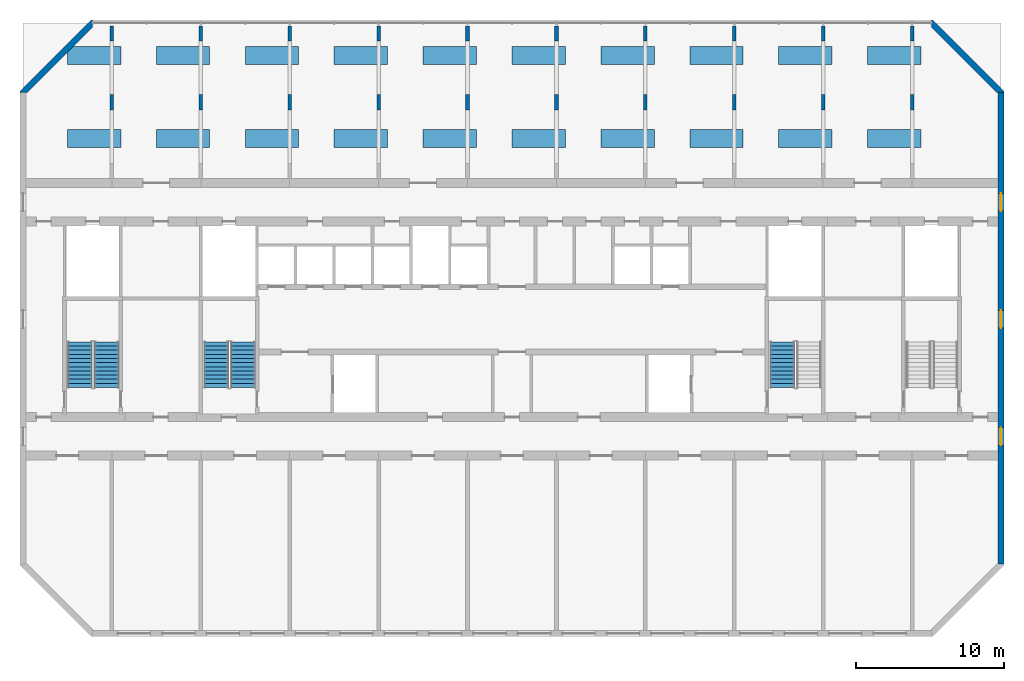
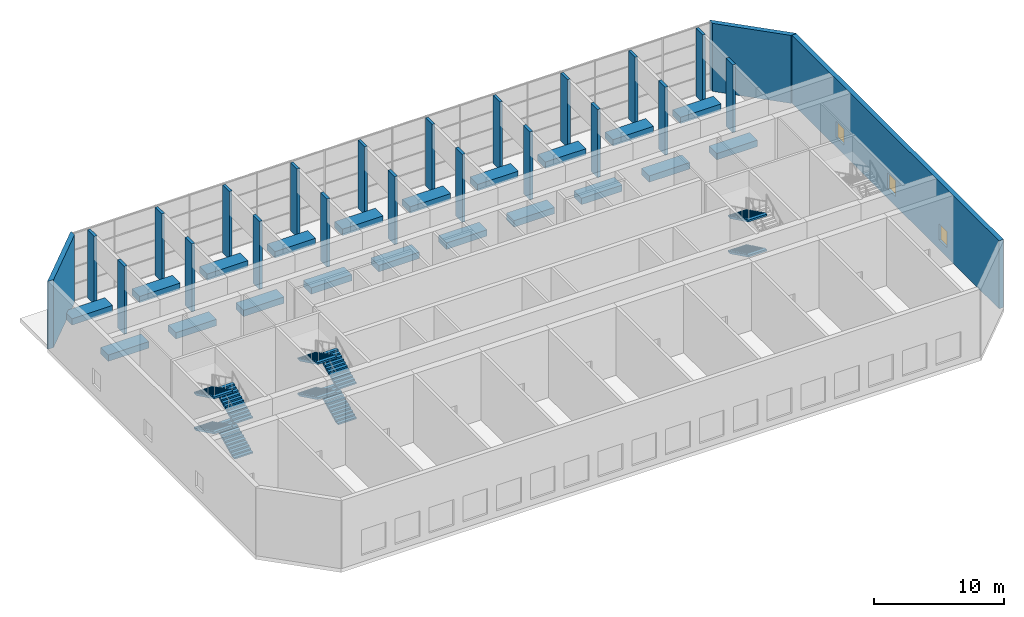
# One storey, part 10 of 13: 43 walls, 10 stair flights, 3 windows, 3 openings, 3 elements without a shape of their own.
"""IFC4 building model written with IfcOpenShell, lengths in metres."""

import ifcopenshell
import ifcopenshell.guid

model = None  # the IFC model being written
_history = None  # IfcOwnerHistory: only IFC2X3 demands one
_inside = {}  # id of a spatial element -> (the spatial element, [elements in it])
_under = {}  # id of a project, library or spatial element -> (it, [spatial elements below it])
_declared = {}  # id of a project -> (the project, [libraries it declares])
_typed = {}  # id of a type object -> (the type object, [elements of that type])
_made_of = {}  # id of a material, layer set ... -> (it, [elements and type objects made of it])


def new_model(schema):
    """Start an empty IFC model of exactly this schema.

    Asked for "IFC4X3", IfcOpenShell would pick the latest addendum, in which some entities
    have other attributes; the version numbers below select the first issue.
    IFC2X3 requires an IfcOwnerHistory on every rooted entity: one is made here for all.
    """
    global model, _history
    if schema == "IFC4X3":
        model = ifcopenshell.file(schema_version=(4, 3, 0, 0))
    else:
        model = ifcopenshell.file(schema=schema)
    _inside.clear()
    _under.clear()
    _declared.clear()
    _typed.clear()
    _made_of.clear()
    _history = None
    if model.schema == "IFC2X3":
        org = make("IfcOrganization", Name="unknown")
        user = make(
            "IfcPersonAndOrganization",
            ThePerson=make("IfcPerson", FamilyName="unknown"),
            TheOrganization=org,
        )
        app = make(
            "IfcApplication",
            ApplicationDeveloper=org,
            Version="unknown",
            ApplicationFullName="unknown",
            ApplicationIdentifier="unknown",
        )
        _history = make(
            "IfcOwnerHistory",
            OwningUser=user,
            OwningApplication=app,
            ChangeAction="ADDED",
            CreationDate=0,
        )
    return model


def make(cls, **values):
    """One entity of the class cls with the attributes given. An attribute that is None is left unset."""
    return model.create_entity(
        cls, **{name: value for name, value in values.items() if value is not None}
    )


def rooted(cls, **values):
    """An entity with a GlobalId (a new one), such as an element, a storey or a relation."""
    return make(cls, GlobalId=ifcopenshell.guid.new(), OwnerHistory=_history, **values)


def si_unit(unit_type, name, prefix=None):
    """IfcSIUnit, for example si_unit("LENGTHUNIT", "METRE", prefix="MILLI")."""
    return make("IfcSIUnit", UnitType=unit_type, Prefix=prefix, Name=name)


def assignment(units):
    """IfcUnitAssignment: the units of a project."""
    return None if units is None else make("IfcUnitAssignment", Units=units)


def point(xyz):
    """IfcCartesianPoint."""
    return None if xyz is None else make("IfcCartesianPoint", Coordinates=xyz)


def direction(xyz):
    """IfcDirection."""
    return None if xyz is None else make("IfcDirection", DirectionRatios=xyz)


def frame(location, z_axis=None, x_axis=None):
    """IfcAxis2Placement3D, a coordinate frame: its origin and axes. An axis left out is left unset."""
    return make(
        "IfcAxis2Placement3D",
        Location=point(location),
        Axis=direction(z_axis),
        RefDirection=direction(x_axis),
    )


def frame_2d(location, x_axis=None):
    """IfcAxis2Placement2D, a coordinate frame in the plane: its origin and x axis."""
    return make(
        "IfcAxis2Placement2D", Location=point(location), RefDirection=direction(x_axis)
    )


def origin():
    """The frame at (0, 0, 0) with its axes left unset."""
    return frame((0.0, 0.0, 0.0))


def place(relative_to, where):
    """IfcLocalPlacement: puts the frame where relative to a parent placement (None: the world)."""
    return make(
        "IfcLocalPlacement", PlacementRelTo=relative_to, RelativePlacement=where
    )


def context(
    kind, dimensions, precision=None, world=None, true_north=None, identifier=None
):
    """IfcGeometricRepresentationContext, for example the 3D "Model" context."""
    return make(
        "IfcGeometricRepresentationContext",
        ContextIdentifier=identifier,
        ContextType=kind,
        CoordinateSpaceDimension=dimensions,
        Precision=precision,
        WorldCoordinateSystem=world,
        TrueNorth=true_north,
    )


def subcontext(parent, identifier, kind, view, scale=None):
    """IfcGeometricRepresentationSubContext, for example "Body" below "Model"."""
    return make(
        "IfcGeometricRepresentationSubContext",
        ContextIdentifier=identifier,
        ContextType=kind,
        ParentContext=parent,
        TargetScale=scale,
        TargetView=view,
    )


def project(units=None, contexts=None):
    """IfcProject with its units and contexts."""
    return rooted(
        "IfcProject",
        Name="project",
        RepresentationContexts=contexts,
        UnitsInContext=assignment(units),
    )


def spatial(cls, under=None, at=None, **own):
    """A site, building, storey or space (cls), placed at a placement, below another one or the project."""
    s = rooted(cls, ObjectPlacement=at, **own)
    if under is not None:
        _under.setdefault(under.id(), (under, []))[1].append(s)
    return s


def polyline(points):
    """IfcPolyline through the points."""
    return make("IfcPolyline", Points=[point(p) for p in points])


def profile(cls, at=None, kind="AREA", **sizes):
    """A parametric profile (cls). Its sizes go by their IFC names, for example OverallWidth=200.0."""
    return make(cls, ProfileType=kind, Position=at, **sizes)


def rectangle(**sizes):
    """IfcRectangleProfileDef."""
    return profile("IfcRectangleProfileDef", **sizes)


def outline(outer, holes=None, kind="AREA"):
    """IfcArbitraryClosedProfileDef: a profile drawn as a closed curve; with holes, ...WithVoids."""
    if holes is None:
        return make("IfcArbitraryClosedProfileDef", ProfileType=kind, OuterCurve=outer)
    return make(
        "IfcArbitraryProfileDefWithVoids",
        ProfileType=kind,
        OuterCurve=outer,
        InnerCurves=holes,
    )


def extrude(swept, where, along, depth):
    """IfcExtrudedAreaSolid: the profile swept, set in the frame where, extruded along a direction by depth."""
    return make(
        "IfcExtrudedAreaSolid",
        SweptArea=swept,
        Position=where,
        ExtrudedDirection=direction(along),
        Depth=depth,
    )


def shape(context_of_items, identifier, shape_type, items):
    """IfcShapeRepresentation: the items that make up one representation, for example the "Body"."""
    return make(
        "IfcShapeRepresentation",
        ContextOfItems=context_of_items,
        RepresentationIdentifier=identifier,
        RepresentationType=shape_type,
        Items=items,
    )


def source(mapping_origin, context_of_items, identifier, shape_type, items):
    """IfcRepresentationMap: a shape defined once, which mapped items show again and again."""
    return make(
        "IfcRepresentationMap",
        MappingOrigin=mapping_origin,
        MappedRepresentation=shape(context_of_items, identifier, shape_type, items),
    )


def transform(
    local_origin,
    x_axis=None,
    y_axis=None,
    z_axis=None,
    scale=None,
    scale2=None,
    scale3=None,
    uniform=True,
):
    """IfcCartesianTransformationOperator3D, or its non-uniform kind. x_axis, y_axis, z_axis: its Axis1, 2, 3."""
    if uniform:
        return make(
            "IfcCartesianTransformationOperator3D",
            Axis1=direction(x_axis),
            Axis2=direction(y_axis),
            LocalOrigin=point(local_origin),
            Scale=scale,
            Axis3=direction(z_axis),
        )
    return make(
        "IfcCartesianTransformationOperator3DnonUniform",
        Axis1=direction(x_axis),
        Axis2=direction(y_axis),
        LocalOrigin=point(local_origin),
        Scale=scale,
        Axis3=direction(z_axis),
        Scale2=scale2,
        Scale3=scale3,
    )


def mapped(mapping_source, mapping_target):
    """IfcMappedItem: shows the shape of a source again, moved by a transform."""
    return make(
        "IfcMappedItem", MappingSource=mapping_source, MappingTarget=mapping_target
    )


def material(Name=None, Category=None):
    """IfcMaterial."""
    return make("IfcMaterial", Name=Name, Category=Category)


def layer(
    of_material, thickness, ventilated=None, Name=None, Category=None, Priority=None
):
    """IfcMaterialLayer: one layer of a wall or slab, of a material (None: an air gap)."""
    return make(
        "IfcMaterialLayer",
        Material=of_material,
        LayerThickness=thickness,
        IsVentilated=ventilated,
        Name=Name,
        Category=Category,
        Priority=Priority,
    )


def layer_set(layers, Name=None):
    """IfcMaterialLayerSet."""
    return make("IfcMaterialLayerSet", MaterialLayers=layers, LayerSetName=Name)


def made_of(thing, what):
    """Note that an element or type object is made of a material, layer set ...; save() writes the relation."""
    if what is not None:
        _made_of.setdefault(what.id(), (what, []))[1].append(thing)
    return thing


def type_object(cls, material=None, **own):
    """A type object (cls), such as IfcWallType, which elements share."""
    return made_of(rooted(cls, **own), material)


def element(
    cls,
    number,
    at=None,
    inside=None,
    cuts=None,
    type_object=None,
    material=None,
    context=None,
    identifier="Body",
    shape_type=None,
    held_by="IfcProductDefinitionShape",
    body=None,
    shapes=None,
    **own,
):
    """One element of the class cls, such as IfcWall. Its Tag is "e" and its number.

    at: its placement. inside: the storey or other place that contains it. cuts: it is an
    opening in that element (IfcRelVoidsElement). A single representation is given by context,
    identifier, shape_type and body (its items); several are given by shapes. held_by: the class
    of the entity that holds the representations. save() writes the other relations.
    """
    e = rooted(cls, Tag="e%d" % number, ObjectPlacement=at, **own)
    if body is not None:
        shapes = [shape(context, identifier, shape_type, body)]
    if shapes is not None:
        e.Representation = make(held_by, Representations=shapes)
    if inside is not None:
        _inside.setdefault(inside.id(), (inside, []))[1].append(e)
    if cuts is not None:
        rooted(
            "IfcRelVoidsElement", RelatingBuildingElement=cuts, RelatedOpeningElement=e
        )
    if type_object is not None:
        _typed.setdefault(type_object.id(), (type_object, []))[1].append(e)
    return made_of(e, material)


def fill(opening, filler):
    """IfcRelFillsElement: the door or window that sits in an opening."""
    return rooted(
        "IfcRelFillsElement",
        RelatingOpeningElement=opening,
        RelatedBuildingElement=filler,
    )


def aggregate(whole, parts):
    """IfcRelAggregates: a whole, such as a stair, and the parts it consists of."""
    return rooted("IfcRelAggregates", RelatingObject=whole, RelatedObjects=parts)


def save(model, path):
    """Write the relations noted so far, then the file.

    IfcRelAggregates (storeys below a building ...), IfcRelContainedInSpatialStructure (elements
    in a storey), IfcRelDefinesByType, IfcRelAssociatesMaterial and IfcRelDeclares: one each for
    every whole, place, type object, material and project.
    """
    for whole, parts in _under.values():
        aggregate(whole, parts)
    for where, things in _inside.values():
        rooted(
            "IfcRelContainedInSpatialStructure",
            RelatedElements=things,
            RelatingStructure=where,
        )
    for kind, things in _typed.values():
        rooted("IfcRelDefinesByType", RelatedObjects=things, RelatingType=kind)
    for what, things in _made_of.values():
        rooted("IfcRelAssociatesMaterial", RelatedObjects=things, RelatingMaterial=what)
    for by, libraries in _declared.values():
        rooted("IfcRelDeclares", RelatingContext=by, RelatedDefinitions=libraries)
    model.write(path)


model = new_model("IFC4")

# Units and contexts
model_context = context("Model", 3, precision=1e-05, world=origin(), true_north=direction((0.0, 1.0)))
body_context = subcontext(model_context, "Body", "Model", "MODEL_VIEW")
ifc_project = project(units=[si_unit("LENGTHUNIT", "METRE"), si_unit("AREAUNIT", "SQUARE_METRE"), si_unit("VOLUMEUNIT", "CUBIC_METRE"), si_unit("PLANEANGLEUNIT", "RADIAN"), si_unit("MASSUNIT", "GRAM", prefix="KILO")], contexts=[model_context])

# Site, building, storey
site_placement = place(None, origin())
site = spatial("IfcSite", under=ifc_project, at=site_placement, CompositionType="ELEMENT")
building_placement = place(site_placement, origin())
building = spatial("IfcBuilding", under=site, at=building_placement, Name="Poui Terraces", CompositionType="ELEMENT")
storey_placement = place(building_placement, frame((0.0, 0.0, 214.800048828125)))
storey = spatial("IfcBuildingStorey", under=building, at=storey_placement, Name="L60", CompositionType="ELEMENT", Elevation=214.800048828125)

# Wall, openings, windows
ifc_material_1 = material(Name="Concrete 50 MPa", Category="concrete")
ifc_layer_1 = layer(ifc_material_1, 0.39990234375)
ifc_layer_set_1 = layer_set([ifc_layer_1], Name="Concrete 50 MPa")
wall_type_1 = type_object("IfcWallType", Name="END WALL 400 50MPa", PredefinedType="SHEAR", material=ifc_layer_set_1)
wall_1_placement = place(storey_placement, frame((84.0, 4.682861328125, 0.0), z_axis=(0.0, 0.0, 1.0), x_axis=(0.0, 1.0, 0.0)))
wall_1 = element("IfcWall", 1, at=wall_1_placement, inside=storey, type_object=wall_type_1, Name="END WALL EAST", PredefinedType="SHEAR", context=body_context, shape_type="SweptSolid", body=[
    extrude(rectangle(XDim=31.834228515625, YDim=0.39990234375, at=frame_2d((15.9169921875, 0.0))), origin(), (0.0, 0.0, 1.0), 6.3798828125),
])
opening_1_placement = place(wall_1_placement, frame((23.817138671875, 0.0, 0.89990234375)))
opening_1 = element("IfcOpeningElement", 2, at=opening_1_placement, cuts=wall_1, Name="Opening W2", PredefinedType="OPENING", context=body_context, shape_type="SweptSolid", body=[
    extrude(rectangle(XDim=1.199951171875, YDim=1.5, at=frame_2d((0.60009765625, 0.75))), frame((0.0, 0.2099609375, 0.0), z_axis=(0.0, -1.0, 0.0), x_axis=(1.0, 0.0, 0.0)), (0.0, 0.0, 1.0), 0.419921875),
])
opening_2_placement = place(wall_1_placement, frame((8.01708984375, 0.0, 0.89990234375)))
opening_2 = element("IfcOpeningElement", 3, at=opening_2_placement, cuts=wall_1, Name="Opening W2", PredefinedType="OPENING", context=body_context, shape_type="SweptSolid", body=[
    extrude(rectangle(XDim=1.199951171875, YDim=1.5, at=frame_2d((0.60009765625, 0.75))), frame((0.0, 0.2099609375, 0.0), z_axis=(0.0, -1.0, 0.0), x_axis=(1.0, 0.0, 0.0)), (0.0, 0.0, 1.0), 0.419921875),
])
opening_3_placement = place(wall_1_placement, frame((15.917236328125, 0.0, 0.89990234375)))
opening_3 = element("IfcOpeningElement", 4, at=opening_3_placement, cuts=wall_1, Name="Opening W2", PredefinedType="OPENING", context=body_context, shape_type="SweptSolid", body=[
    extrude(rectangle(XDim=1.199951171875, YDim=1.5, at=frame_2d((0.60009765625, 0.75))), frame((0.0, 0.2099609375, 0.0), z_axis=(0.0, -1.0, 0.0), x_axis=(1.0, 0.0, 0.0)), (0.0, 0.0, 1.0), 0.419921875),
])
ifc_material_2 = material(Name="Clear glass in aluminium frame", Category="aluminium")
window_type = type_object("IfcWindowType", Name="WINDOW 1200X1500", PartitioningType="SINGLE_PANEL", PredefinedType="WINDOW", material=ifc_material_2)
window_1_placement = place(opening_1_placement, origin())
window_1 = element("IfcWindow", 5, at=window_1_placement, inside=storey, type_object=window_type, Name="W2 WINDOW", OverallHeight=1.5, OverallWidth=1.199951171875, PartitioningType="SINGLE_PANEL", PredefinedType="WINDOW", context=body_context, shape_type="SweptSolid", body=[
    extrude(rectangle(XDim=1.199951171875, YDim=1.5, at=frame_2d((0.60009765625, 0.75))), frame((0.0, 0.030029296875, 0.0), z_axis=(0.0, -1.0, 0.0), x_axis=(1.0, 0.0, 0.0)), (0.0, 0.0, 1.0), 0.06005859375),
])
fill(opening_1, window_1)
window_2_placement = place(opening_2_placement, origin())
window_2 = element("IfcWindow", 6, at=window_2_placement, inside=storey, type_object=window_type, Name="W2 WINDOW", OverallHeight=1.5, OverallWidth=1.199951171875, PartitioningType="SINGLE_PANEL", PredefinedType="WINDOW", context=body_context, shape_type="SweptSolid", body=[
    extrude(rectangle(XDim=1.199951171875, YDim=1.5, at=frame_2d((0.60009765625, 0.75))), frame((0.0, 0.030029296875, 0.0), z_axis=(0.0, -1.0, 0.0), x_axis=(1.0, 0.0, 0.0)), (0.0, 0.0, 1.0), 0.06005859375),
])
fill(opening_2, window_2)
window_3_placement = place(opening_3_placement, origin())
window_3 = element("IfcWindow", 7, at=window_3_placement, inside=storey, type_object=window_type, Name="W2 WINDOW", OverallHeight=1.5, OverallWidth=1.199951171875, PartitioningType="SINGLE_PANEL", PredefinedType="WINDOW", context=body_context, shape_type="SweptSolid", body=[
    extrude(rectangle(XDim=1.199951171875, YDim=1.5, at=frame_2d((0.60009765625, 0.75))), frame((0.0, 0.030029296875, 0.0), z_axis=(0.0, -1.0, 0.0), x_axis=(1.0, 0.0, 0.0)), (0.0, 0.0, 1.0), 0.06005859375),
])
fill(opening_3, window_3)

# Walls
ifc_layer_2 = layer(ifc_material_1, 0.25)
ifc_layer_set_2 = layer_set([ifc_layer_2], Name="Concrete 50 MPa")
wall_type_2 = type_object("IfcWallType", Name="PIERCED CROSS WALL 250 50MPa", PredefinedType="SHEAR", material=ifc_layer_set_2)
wall_2_placement = place(storey_placement, frame((24.0, 35.333251953125, 0.0), z_axis=(0.0, 0.0, 1.0), x_axis=(0.0, 1.0, 0.0)))
element("IfcWall", 8, at=wall_2_placement, inside=storey, type_object=wall_type_2, Name="PIER LINE 5 2", PredefinedType="SHEAR", context=body_context, shape_type="SweptSolid", body=[
    extrude(rectangle(XDim=1.033447265625, YDim=0.25, at=frame_2d((0.5166015625, 0.0))), origin(), (0.0, 0.0, 1.0), 6.3798828125),
])
wall_3_placement = place(storey_placement, frame((24.0, 39.966796875, 0.0), z_axis=(0.0, 0.0, 1.0), x_axis=(0.0, 1.0, 0.0)))
element("IfcWall", 9, at=wall_3_placement, inside=storey, type_object=wall_type_2, Name="PIER LINE 5 3", PredefinedType="SHEAR", context=body_context, shape_type="SweptSolid", body=[
    extrude(rectangle(XDim=1.033203125, YDim=0.25, at=frame_2d((0.5166015625, 0.0))), origin(), (0.0, 0.0, 1.0), 6.3798828125),
])
wall_4_placement = place(storey_placement, frame((30.0, 35.333251953125, 0.0), z_axis=(0.0, 0.0, 1.0), x_axis=(0.0, 1.0, 0.0)))
element("IfcWall", 10, at=wall_4_placement, inside=storey, type_object=wall_type_2, Name="PIER LINE 6 2", PredefinedType="SHEAR", context=body_context, shape_type="SweptSolid", body=[
    extrude(rectangle(XDim=1.033447265625, YDim=0.25, at=frame_2d((0.5166015625, 0.0))), origin(), (0.0, 0.0, 1.0), 6.3798828125),
])
wall_5_placement = place(storey_placement, frame((30.0, 39.966796875, 0.0), z_axis=(0.0, 0.0, 1.0), x_axis=(0.0, 1.0, 0.0)))
element("IfcWall", 11, at=wall_5_placement, inside=storey, type_object=wall_type_2, Name="PIER LINE 6 3", PredefinedType="SHEAR", context=body_context, shape_type="SweptSolid", body=[
    extrude(rectangle(XDim=1.033203125, YDim=0.25, at=frame_2d((0.5166015625, 0.0))), origin(), (0.0, 0.0, 1.0), 6.3798828125),
])
wall_6_placement = place(storey_placement, frame((36.0, 35.333251953125, 0.0), z_axis=(0.0, 0.0, 1.0), x_axis=(0.0, 1.0, 0.0)))
element("IfcWall", 12, at=wall_6_placement, inside=storey, type_object=wall_type_2, Name="PIER LINE 7 2", PredefinedType="SHEAR", context=body_context, shape_type="SweptSolid", body=[
    extrude(rectangle(XDim=1.033447265625, YDim=0.25, at=frame_2d((0.5166015625, 0.0))), origin(), (0.0, 0.0, 1.0), 6.3798828125),
])
wall_7_placement = place(storey_placement, frame((36.0, 39.966796875, 0.0), z_axis=(0.0, 0.0, 1.0), x_axis=(0.0, 1.0, 0.0)))
element("IfcWall", 13, at=wall_7_placement, inside=storey, type_object=wall_type_2, Name="PIER LINE 7 3", PredefinedType="SHEAR", context=body_context, shape_type="SweptSolid", body=[
    extrude(rectangle(XDim=1.033203125, YDim=0.25, at=frame_2d((0.5166015625, 0.0))), origin(), (0.0, 0.0, 1.0), 6.3798828125),
])
wall_8_placement = place(storey_placement, frame((42.0, 35.333251953125, 0.0), z_axis=(0.0, 0.0, 1.0), x_axis=(0.0, 1.0, 0.0)))
element("IfcWall", 14, at=wall_8_placement, inside=storey, type_object=wall_type_2, Name="PIER LINE 8 2", PredefinedType="SHEAR", context=body_context, shape_type="SweptSolid", body=[
    extrude(rectangle(XDim=1.033447265625, YDim=0.25, at=frame_2d((0.5166015625, 0.0))), origin(), (0.0, 0.0, 1.0), 6.3798828125),
])
wall_9_placement = place(storey_placement, frame((42.0, 39.966796875, 0.0), z_axis=(0.0, 0.0, 1.0), x_axis=(0.0, 1.0, 0.0)))
element("IfcWall", 15, at=wall_9_placement, inside=storey, type_object=wall_type_2, Name="PIER LINE 8 3", PredefinedType="SHEAR", context=body_context, shape_type="SweptSolid", body=[
    extrude(rectangle(XDim=1.033203125, YDim=0.25, at=frame_2d((0.5166015625, 0.0))), origin(), (0.0, 0.0, 1.0), 6.3798828125),
])
wall_10_placement = place(storey_placement, frame((48.0, 35.333251953125, 0.0), z_axis=(0.0, 0.0, 1.0), x_axis=(0.0, 1.0, 0.0)))
element("IfcWall", 16, at=wall_10_placement, inside=storey, type_object=wall_type_2, Name="PIER LINE 9 2", PredefinedType="SHEAR", context=body_context, shape_type="SweptSolid", body=[
    extrude(rectangle(XDim=1.033447265625, YDim=0.25, at=frame_2d((0.5166015625, 0.0))), origin(), (0.0, 0.0, 1.0), 6.3798828125),
])
wall_11_placement = place(storey_placement, frame((48.0, 39.966796875, 0.0), z_axis=(0.0, 0.0, 1.0), x_axis=(0.0, 1.0, 0.0)))
element("IfcWall", 17, at=wall_11_placement, inside=storey, type_object=wall_type_2, Name="PIER LINE 9 3", PredefinedType="SHEAR", context=body_context, shape_type="SweptSolid", body=[
    extrude(rectangle(XDim=1.033203125, YDim=0.25, at=frame_2d((0.5166015625, 0.0))), origin(), (0.0, 0.0, 1.0), 6.3798828125),
])
wall_12_placement = place(storey_placement, frame((54.0, 35.333251953125, 0.0), z_axis=(0.0, 0.0, 1.0), x_axis=(0.0, 1.0, 0.0)))
element("IfcWall", 18, at=wall_12_placement, inside=storey, type_object=wall_type_2, Name="PIER LINE 10 2", PredefinedType="SHEAR", context=body_context, shape_type="SweptSolid", body=[
    extrude(rectangle(XDim=1.033447265625, YDim=0.25, at=frame_2d((0.5166015625, 0.0))), origin(), (0.0, 0.0, 1.0), 6.3798828125),
])
wall_13_placement = place(storey_placement, frame((54.0, 39.966796875, 0.0), z_axis=(0.0, 0.0, 1.0), x_axis=(0.0, 1.0, 0.0)))
element("IfcWall", 19, at=wall_13_placement, inside=storey, type_object=wall_type_2, Name="PIER LINE 10 3", PredefinedType="SHEAR", context=body_context, shape_type="SweptSolid", body=[
    extrude(rectangle(XDim=1.033203125, YDim=0.25, at=frame_2d((0.5166015625, 0.0))), origin(), (0.0, 0.0, 1.0), 6.3798828125),
])
wall_14_placement = place(storey_placement, frame((60.0, 35.333251953125, 0.0), z_axis=(0.0, 0.0, 1.0), x_axis=(0.0, 1.0, 0.0)))
element("IfcWall", 20, at=wall_14_placement, inside=storey, type_object=wall_type_2, Name="PIER LINE 11 2", PredefinedType="SHEAR", context=body_context, shape_type="SweptSolid", body=[
    extrude(rectangle(XDim=1.033447265625, YDim=0.25, at=frame_2d((0.5166015625, 0.0))), origin(), (0.0, 0.0, 1.0), 6.3798828125),
])
wall_15_placement = place(storey_placement, frame((60.0, 39.966796875, 0.0), z_axis=(0.0, 0.0, 1.0), x_axis=(0.0, 1.0, 0.0)))
element("IfcWall", 21, at=wall_15_placement, inside=storey, type_object=wall_type_2, Name="PIER LINE 11 3", PredefinedType="SHEAR", context=body_context, shape_type="SweptSolid", body=[
    extrude(rectangle(XDim=1.033203125, YDim=0.25, at=frame_2d((0.5166015625, 0.0))), origin(), (0.0, 0.0, 1.0), 6.3798828125),
])
wall_16_placement = place(storey_placement, frame((66.0, 35.333251953125, 0.0), z_axis=(0.0, 0.0, 1.0), x_axis=(0.0, 1.0, 0.0)))
element("IfcWall", 22, at=wall_16_placement, inside=storey, type_object=wall_type_2, Name="PIER LINE 12 2", PredefinedType="SHEAR", context=body_context, shape_type="SweptSolid", body=[
    extrude(rectangle(XDim=1.033447265625, YDim=0.25, at=frame_2d((0.5166015625, 0.0))), origin(), (0.0, 0.0, 1.0), 6.3798828125),
])
wall_17_placement = place(storey_placement, frame((66.0, 39.966796875, 0.0), z_axis=(0.0, 0.0, 1.0), x_axis=(0.0, 1.0, 0.0)))
element("IfcWall", 23, at=wall_17_placement, inside=storey, type_object=wall_type_2, Name="PIER LINE 12 3", PredefinedType="SHEAR", context=body_context, shape_type="SweptSolid", body=[
    extrude(rectangle(XDim=1.033203125, YDim=0.25, at=frame_2d((0.5166015625, 0.0))), origin(), (0.0, 0.0, 1.0), 6.3798828125),
])
wall_18_placement = place(storey_placement, frame((72.0, 35.333251953125, 0.0), z_axis=(0.0, 0.0, 1.0), x_axis=(0.0, 1.0, 0.0)))
element("IfcWall", 24, at=wall_18_placement, inside=storey, type_object=wall_type_2, Name="PIER LINE 13 2", PredefinedType="SHEAR", context=body_context, shape_type="SweptSolid", body=[
    extrude(rectangle(XDim=1.033447265625, YDim=0.25, at=frame_2d((0.5166015625, 0.0))), origin(), (0.0, 0.0, 1.0), 6.3798828125),
])
wall_19_placement = place(storey_placement, frame((72.0, 39.966796875, 0.0), z_axis=(0.0, 0.0, 1.0), x_axis=(0.0, 1.0, 0.0)))
element("IfcWall", 25, at=wall_19_placement, inside=storey, type_object=wall_type_2, Name="PIER LINE 13 3", PredefinedType="SHEAR", context=body_context, shape_type="SweptSolid", body=[
    extrude(rectangle(XDim=1.033203125, YDim=0.25, at=frame_2d((0.5166015625, 0.0))), origin(), (0.0, 0.0, 1.0), 6.3798828125),
])
wall_20_placement = place(storey_placement, frame((78.0, 35.333251953125, 0.0), z_axis=(0.0, 0.0, 1.0), x_axis=(0.0, 1.0, 0.0)))
element("IfcWall", 26, at=wall_20_placement, inside=storey, type_object=wall_type_2, Name="PIER LINE 14 2", PredefinedType="SHEAR", context=body_context, shape_type="SweptSolid", body=[
    extrude(rectangle(XDim=1.033447265625, YDim=0.25, at=frame_2d((0.5166015625, 0.0))), origin(), (0.0, 0.0, 1.0), 6.3798828125),
])
wall_21_placement = place(storey_placement, frame((78.0, 39.966796875, 0.0), z_axis=(0.0, 0.0, 1.0), x_axis=(0.0, 1.0, 0.0)))
element("IfcWall", 27, at=wall_21_placement, inside=storey, type_object=wall_type_2, Name="PIER LINE 14 3", PredefinedType="SHEAR", context=body_context, shape_type="SweptSolid", body=[
    extrude(rectangle(XDim=1.033203125, YDim=0.25, at=frame_2d((0.5166015625, 0.0))), origin(), (0.0, 0.0, 1.0), 6.3798828125),
])
ifc_material_3 = material(Name="Precast concrete 40 MPa", Category="concrete")
ifc_layer_3 = layer(ifc_material_3, 0.39990234375)
ifc_layer_set_3 = layer_set([ifc_layer_3], Name="Precast concrete 40 MPa")
wall_type_3 = type_object("IfcWallType", Name="TERRACOTTA CLAD CHAMFER WALL 400", PredefinedType="STANDARD", material=ifc_layer_set_3)
wall_22_placement = place(storey_placement, origin())
element("IfcWall", 28, at=wall_22_placement, inside=storey, type_object=wall_type_3, Name="CHAMFER WALL CH03", PredefinedType="STANDARD", context=body_context, shape_type="SweptSolid", body=[
    extrude(outline(polyline([(84.199951171875, 36.51708984375), (84.199951171875, 36.60009765625), (79.39990234375, 41.39990234375), (79.317138671875, 41.39990234375), (79.317138671875, 40.917236328125), (83.71728515625, 36.51708984375), (84.199951171875, 36.51708984375)])), origin(), (0.0, 0.0, 1.0), 6.3798828125),
])
wall_23_placement = place(storey_placement, origin())
element("IfcWall", 29, at=wall_23_placement, inside=storey, type_object=wall_type_3, Name="CHAMFER WALL CH05", PredefinedType="STANDARD", context=body_context, shape_type="SweptSolid", body=[
    extrude(outline(polyline([(22.682861328125, 41.39990234375), (22.60009765625, 41.39990234375), (17.800048828125, 36.60009765625), (17.800048828125, 36.51708984375), (18.28271484375, 36.51708984375), (22.682861328125, 40.917236328125), (22.682861328125, 41.39990234375)])), origin(), (0.0, 0.0, 1.0), 6.3798828125),
])
ifc_layer_4 = layer(ifc_material_3, 1.199951171875)
ifc_layer_set_4 = layer_set([ifc_layer_4], Name="Precast concrete 40 MPa")
wall_type_4 = type_object("IfcWallType", Name="PLANTER 600", PredefinedType="USERDEFINED", material=ifc_layer_set_4)
shared_shape_1 = source(origin(), body_context, "Body", "SweptSolid", [
    extrude(outline(polyline([(0.0, 0.0), (3.60009765625, 0.0), (3.60009765625, 1.2001953125), (0.0, 1.2001953125), (0.0, 0.0)])), origin(), (0.0, 0.0, 1.0), 0.599853515625),
])
for number, where, name in (
    (30, (21.0, 38.39990234375, 0.0), "PLANTER"),
    (31, (27.0, 38.39990234375, 0.0), "PLANTER"),
    (32, (33.0, 38.39990234375, 0.0), "PLANTER"),
    (33, (39.0, 38.39990234375, 0.0), "PLANTER"),
    (34, (45.0, 38.39990234375, 0.0), "PLANTER"),
    (35, (51.0, 38.39990234375, 0.0), "PLANTER"),
    (36, (57.0, 38.39990234375, 0.0), "PLANTER"),
    (37, (63.0, 38.39990234375, 0.0), "PLANTER"),
    (38, (69.0, 38.39990234375, 0.0), "PLANTER"),
    (39, (75.0, 38.39990234375, 0.0), "PLANTER"),
):
    element("IfcWall", number, at=place(storey_placement, frame(where)), inside=storey, type_object=wall_type_4, Name=name, ObjectType="PLANTER", PredefinedType="USERDEFINED", context=body_context, shape_type="MappedRepresentation", body=[
        mapped(shared_shape_1, transform((0.0, 0.0, 0.0))),
    ])
shared_shape_2 = source(origin(), body_context, "Body", "SweptSolid", [
    extrude(outline(polyline([(0.0, 0.0), (3.60009765625, 0.0), (3.60009765625, 1.199951171875), (0.0, 1.199951171875), (0.0, 0.0)])), origin(), (0.0, 0.0, 1.0), 0.599853515625),
])
for number, where, name in (
    (40, (21.0, 32.800048828125, 0.0), "PLANTER"),
    (41, (27.0, 32.800048828125, 0.0), "PLANTER"),
    (42, (33.0, 32.800048828125, 0.0), "PLANTER"),
    (43, (39.0, 32.800048828125, 0.0), "PLANTER"),
    (44, (45.0, 32.800048828125, 0.0), "PLANTER"),
    (45, (51.0, 32.800048828125, 0.0), "PLANTER"),
    (46, (57.0, 32.800048828125, 0.0), "PLANTER"),
    (47, (63.0, 32.800048828125, 0.0), "PLANTER"),
    (48, (69.0, 32.800048828125, 0.0), "PLANTER"),
    (49, (75.0, 32.800048828125, 0.0), "PLANTER"),
):
    element("IfcWall", number, at=place(storey_placement, frame(where)), inside=storey, type_object=wall_type_4, Name=name, ObjectType="PLANTER", PredefinedType="USERDEFINED", context=body_context, shape_type="MappedRepresentation", body=[
        mapped(shared_shape_2, transform((0.0, 0.0, 0.0))),
    ])

# Stair, stair flights
stair_type = type_object("IfcStairType", Name="EXIT STAIR 1650 50 MPA", PredefinedType="HALF_TURN_STAIR", material=ifc_material_1)
stair_1_placement = place(storey_placement, origin())
stair_1 = element("IfcStair", 50, at=stair_1_placement, inside=storey, type_object=stair_type, Name="L60 CORE STAIR EAST", PredefinedType="HALF_TURN_STAIR")
ifc_layer_5 = layer(ifc_material_1, 0.14990234375)
ifc_layer_set_5 = layer_set([ifc_layer_5], Name="Concrete 50 MPa")
stair_flight_type = type_object("IfcStairFlightType", Name="STAIR FLIGHT 12 RISERS 138 RISE 50 MPA", PredefinedType="STRAIGHT", material=ifc_layer_set_5)
stair_flight_1_placement = place(storey_placement, frame((69.25, 19.679931640625, 1.64990234375), z_axis=(0.0, 0.0, 1.0), x_axis=(0.0, -1.0, 0.0)))
stair_flight_1 = element("IfcStairFlight", 51, at=stair_flight_1_placement, type_object=stair_flight_type, Name="ST-CE flight 2", NumberOfRisers=12, NumberOfTreads=11, PredefinedType="STRAIGHT", RiserHeight=0.1375, TreadLength=0.28, context=body_context, shape_type="SweptSolid", body=[
    extrude(outline(polyline([(0.0, 0.0), (0.0, 0.137451171875), (0.280029296875, 0.137451171875), (0.280029296875, 0.27490234375), (0.56005859375, 0.27490234375), (0.56005859375, 0.41259765625), (0.840087890625, 0.41259765625), (0.840087890625, 0.550048828125), (1.1201171875, 0.550048828125), (1.1201171875, 0.6875), (1.39990234375, 0.6875), (1.39990234375, 0.824951171875), (1.679931640625, 0.824951171875), (1.679931640625, 0.96240234375), (1.9599609375, 0.96240234375), (1.9599609375, 1.10009765625), (2.239990234375, 1.10009765625), (2.239990234375, 1.237548828125), (2.52001953125, 1.237548828125), (2.52001953125, 1.375), (2.800048828125, 1.375), (2.800048828125, 1.512451171875), (3.080078125, 1.512451171875), (3.080078125, 1.64990234375), (3.080078125, 1.345458984375), (0.340087890625, 0.0), (0.0, 0.0)])), frame((0.0, 0.824951171875, 0.0), z_axis=(0.0, -1.0, 0.0), x_axis=(1.0, 0.0, 0.0)), (0.0, 0.0, 1.0), 1.64990234375),
])
stair_flight_2_placement = place(storey_placement, frame((69.25, 19.679931640625, 4.949951171875), z_axis=(0.0, 0.0, 1.0), x_axis=(0.0, -1.0, 0.0)))
stair_flight_2 = element("IfcStairFlight", 52, at=stair_flight_2_placement, type_object=stair_flight_type, Name="ST-CE flight 4", NumberOfRisers=12, NumberOfTreads=11, PredefinedType="STRAIGHT", RiserHeight=0.1375, TreadLength=0.28, context=body_context, shape_type="SweptSolid", body=[
    extrude(outline(polyline([(0.0, 0.0), (0.0, 0.137451171875), (0.280029296875, 0.137451171875), (0.280029296875, 0.27490234375), (0.56005859375, 0.27490234375), (0.56005859375, 0.41259765625), (0.840087890625, 0.41259765625), (0.840087890625, 0.550048828125), (1.1201171875, 0.550048828125), (1.1201171875, 0.6875), (1.39990234375, 0.6875), (1.39990234375, 0.824951171875), (1.679931640625, 0.824951171875), (1.679931640625, 0.96240234375), (1.9599609375, 0.96240234375), (1.9599609375, 1.10009765625), (2.239990234375, 1.10009765625), (2.239990234375, 1.237548828125), (2.52001953125, 1.237548828125), (2.52001953125, 1.375), (2.800048828125, 1.375), (2.800048828125, 1.512451171875), (3.080078125, 1.512451171875), (3.080078125, 1.64990234375), (3.080078125, 1.345458984375), (0.340087890625, 0.0), (0.0, 0.0)])), frame((0.0, 0.824951171875, 0.0), z_axis=(0.0, -1.0, 0.0), x_axis=(1.0, 0.0, 0.0)), (0.0, 0.0, 1.0), 1.64990234375),
])
aggregate(stair_1, [stair_flight_1, stair_flight_2])

stair_2_placement = place(storey_placement, origin())
stair_2 = element("IfcStair", 53, at=stair_2_placement, inside=storey, type_object=stair_type, Name="L60 CORE STAIR WEST", PredefinedType="HALF_TURN_STAIR")
stair_flight_3_placement = place(storey_placement, frame((32.85009765625, 16.60009765625, 0.0), z_axis=(0.0, 0.0, 1.0), x_axis=(0.0, 1.0, 0.0)))
stair_flight_3 = element("IfcStairFlight", 54, at=stair_flight_3_placement, type_object=stair_flight_type, Name="ST-CW flight 1", NumberOfRisers=12, NumberOfTreads=11, PredefinedType="STRAIGHT", RiserHeight=0.1375, TreadLength=0.28, context=body_context, shape_type="SweptSolid", body=[
    extrude(outline(polyline([(0.0, 0.0), (0.0, 0.137451171875), (0.280029296875, 0.137451171875), (0.280029296875, 0.27490234375), (0.56005859375, 0.27490234375), (0.56005859375, 0.41259765625), (0.840087890625, 0.41259765625), (0.840087890625, 0.550048828125), (1.1201171875, 0.550048828125), (1.1201171875, 0.6875), (1.39990234375, 0.6875), (1.39990234375, 0.824951171875), (1.679931640625, 0.824951171875), (1.679931640625, 0.96240234375), (1.9599609375, 0.96240234375), (1.9599609375, 1.10009765625), (2.239990234375, 1.10009765625), (2.239990234375, 1.237548828125), (2.52001953125, 1.237548828125), (2.52001953125, 1.375), (2.800048828125, 1.375), (2.800048828125, 1.512451171875), (3.080078125, 1.512451171875), (3.080078125, 1.64990234375), (3.080078125, 1.345458984375), (0.340087890625, 0.0), (0.0, 0.0)])), frame((0.0, 0.824951171875, 0.0), z_axis=(0.0, -1.0, 0.0), x_axis=(1.0, 0.0, 0.0)), (0.0, 0.0, 1.0), 1.64990234375),
])
stair_flight_4_placement = place(storey_placement, frame((31.050048828125, 19.679931640625, 1.64990234375), z_axis=(0.0, 0.0, 1.0), x_axis=(0.0, -1.0, 0.0)))
stair_flight_4 = element("IfcStairFlight", 55, at=stair_flight_4_placement, type_object=stair_flight_type, Name="ST-CW flight 2", NumberOfRisers=12, NumberOfTreads=11, PredefinedType="STRAIGHT", RiserHeight=0.1375, TreadLength=0.28, context=body_context, shape_type="SweptSolid", body=[
    extrude(outline(polyline([(0.0, 0.0), (0.0, 0.137451171875), (0.280029296875, 0.137451171875), (0.280029296875, 0.27490234375), (0.56005859375, 0.27490234375), (0.56005859375, 0.41259765625), (0.840087890625, 0.41259765625), (0.840087890625, 0.550048828125), (1.1201171875, 0.550048828125), (1.1201171875, 0.6875), (1.39990234375, 0.6875), (1.39990234375, 0.824951171875), (1.679931640625, 0.824951171875), (1.679931640625, 0.96240234375), (1.9599609375, 0.96240234375), (1.9599609375, 1.10009765625), (2.239990234375, 1.10009765625), (2.239990234375, 1.237548828125), (2.52001953125, 1.237548828125), (2.52001953125, 1.375), (2.800048828125, 1.375), (2.800048828125, 1.512451171875), (3.080078125, 1.512451171875), (3.080078125, 1.64990234375), (3.080078125, 1.345458984375), (0.340087890625, 0.0), (0.0, 0.0)])), frame((0.0, 0.824951171875, 0.0), z_axis=(0.0, -1.0, 0.0), x_axis=(1.0, 0.0, 0.0)), (0.0, 0.0, 1.0), 1.64990234375),
])
stair_flight_5_placement = place(storey_placement, frame((32.85009765625, 16.60009765625, 3.300048828125), z_axis=(0.0, 0.0, 1.0), x_axis=(0.0, 1.0, 0.0)))
stair_flight_5 = element("IfcStairFlight", 56, at=stair_flight_5_placement, type_object=stair_flight_type, Name="ST-CW flight 3", NumberOfRisers=12, NumberOfTreads=11, PredefinedType="STRAIGHT", RiserHeight=0.1375, TreadLength=0.28, context=body_context, shape_type="SweptSolid", body=[
    extrude(outline(polyline([(0.0, 0.0), (0.0, 0.137451171875), (0.280029296875, 0.137451171875), (0.280029296875, 0.27490234375), (0.56005859375, 0.27490234375), (0.56005859375, 0.41259765625), (0.840087890625, 0.41259765625), (0.840087890625, 0.550048828125), (1.1201171875, 0.550048828125), (1.1201171875, 0.6875), (1.39990234375, 0.6875), (1.39990234375, 0.824951171875), (1.679931640625, 0.824951171875), (1.679931640625, 0.96240234375), (1.9599609375, 0.96240234375), (1.9599609375, 1.10009765625), (2.239990234375, 1.10009765625), (2.239990234375, 1.237548828125), (2.52001953125, 1.237548828125), (2.52001953125, 1.375), (2.800048828125, 1.375), (2.800048828125, 1.512451171875), (3.080078125, 1.512451171875), (3.080078125, 1.64990234375), (3.080078125, 1.345458984375), (0.340087890625, 0.0), (0.0, 0.0)])), frame((0.0, 0.824951171875, 0.0), z_axis=(0.0, -1.0, 0.0), x_axis=(1.0, 0.0, 0.0)), (0.0, 0.0, 1.0), 1.64990234375),
])
stair_flight_6_placement = place(storey_placement, frame((31.050048828125, 19.679931640625, 4.949951171875), z_axis=(0.0, 0.0, 1.0), x_axis=(0.0, -1.0, 0.0)))
stair_flight_6 = element("IfcStairFlight", 57, at=stair_flight_6_placement, type_object=stair_flight_type, Name="ST-CW flight 4", NumberOfRisers=12, NumberOfTreads=11, PredefinedType="STRAIGHT", RiserHeight=0.1375, TreadLength=0.28, context=body_context, shape_type="SweptSolid", body=[
    extrude(outline(polyline([(0.0, 0.0), (0.0, 0.137451171875), (0.280029296875, 0.137451171875), (0.280029296875, 0.27490234375), (0.56005859375, 0.27490234375), (0.56005859375, 0.41259765625), (0.840087890625, 0.41259765625), (0.840087890625, 0.550048828125), (1.1201171875, 0.550048828125), (1.1201171875, 0.6875), (1.39990234375, 0.6875), (1.39990234375, 0.824951171875), (1.679931640625, 0.824951171875), (1.679931640625, 0.96240234375), (1.9599609375, 0.96240234375), (1.9599609375, 1.10009765625), (2.239990234375, 1.10009765625), (2.239990234375, 1.237548828125), (2.52001953125, 1.237548828125), (2.52001953125, 1.375), (2.800048828125, 1.375), (2.800048828125, 1.512451171875), (3.080078125, 1.512451171875), (3.080078125, 1.64990234375), (3.080078125, 1.345458984375), (0.340087890625, 0.0), (0.0, 0.0)])), frame((0.0, 0.824951171875, 0.0), z_axis=(0.0, -1.0, 0.0), x_axis=(1.0, 0.0, 0.0)), (0.0, 0.0, 1.0), 1.64990234375),
])
aggregate(stair_2, [stair_flight_3, stair_flight_4, stair_flight_5, stair_flight_6])

stair_3_placement = place(storey_placement, origin())
stair_3 = element("IfcStair", 58, at=stair_3_placement, inside=storey, type_object=stair_type, Name="L60 TIP STAIR WEST", PredefinedType="HALF_TURN_STAIR")
stair_flight_7_placement = place(storey_placement, frame((23.64990234375, 16.60009765625, 0.0), z_axis=(0.0, 0.0, 1.0), x_axis=(0.0, 1.0, 0.0)))
stair_flight_7 = element("IfcStairFlight", 59, at=stair_flight_7_placement, type_object=stair_flight_type, Name="ST-W flight 1", NumberOfRisers=12, NumberOfTreads=11, PredefinedType="STRAIGHT", RiserHeight=0.1375, TreadLength=0.28, context=body_context, shape_type="SweptSolid", body=[
    extrude(outline(polyline([(0.0, 0.0), (0.0, 0.137451171875), (0.280029296875, 0.137451171875), (0.280029296875, 0.27490234375), (0.56005859375, 0.27490234375), (0.56005859375, 0.41259765625), (0.840087890625, 0.41259765625), (0.840087890625, 0.550048828125), (1.1201171875, 0.550048828125), (1.1201171875, 0.6875), (1.39990234375, 0.6875), (1.39990234375, 0.824951171875), (1.679931640625, 0.824951171875), (1.679931640625, 0.96240234375), (1.9599609375, 0.96240234375), (1.9599609375, 1.10009765625), (2.239990234375, 1.10009765625), (2.239990234375, 1.237548828125), (2.52001953125, 1.237548828125), (2.52001953125, 1.375), (2.800048828125, 1.375), (2.800048828125, 1.512451171875), (3.080078125, 1.512451171875), (3.080078125, 1.64990234375), (3.080078125, 1.345458984375), (0.340087890625, 0.0), (0.0, 0.0)])), frame((0.0, 0.824951171875, 0.0), z_axis=(0.0, -1.0, 0.0), x_axis=(1.0, 0.0, 0.0)), (0.0, 0.0, 1.0), 1.64990234375),
])
stair_flight_8_placement = place(storey_placement, frame((21.85009765625, 19.679931640625, 1.64990234375), z_axis=(0.0, 0.0, 1.0), x_axis=(0.0, -1.0, 0.0)))
stair_flight_8 = element("IfcStairFlight", 60, at=stair_flight_8_placement, type_object=stair_flight_type, Name="ST-W flight 2", NumberOfRisers=12, NumberOfTreads=11, PredefinedType="STRAIGHT", RiserHeight=0.1375, TreadLength=0.28, context=body_context, shape_type="SweptSolid", body=[
    extrude(outline(polyline([(0.0, 0.0), (0.0, 0.137451171875), (0.280029296875, 0.137451171875), (0.280029296875, 0.27490234375), (0.56005859375, 0.27490234375), (0.56005859375, 0.41259765625), (0.840087890625, 0.41259765625), (0.840087890625, 0.550048828125), (1.1201171875, 0.550048828125), (1.1201171875, 0.6875), (1.39990234375, 0.6875), (1.39990234375, 0.824951171875), (1.679931640625, 0.824951171875), (1.679931640625, 0.96240234375), (1.9599609375, 0.96240234375), (1.9599609375, 1.10009765625), (2.239990234375, 1.10009765625), (2.239990234375, 1.237548828125), (2.52001953125, 1.237548828125), (2.52001953125, 1.375), (2.800048828125, 1.375), (2.800048828125, 1.512451171875), (3.080078125, 1.512451171875), (3.080078125, 1.64990234375), (3.080078125, 1.345458984375), (0.340087890625, 0.0), (0.0, 0.0)])), frame((0.0, 0.824951171875, 0.0), z_axis=(0.0, -1.0, 0.0), x_axis=(1.0, 0.0, 0.0)), (0.0, 0.0, 1.0), 1.64990234375),
])
stair_flight_9_placement = place(storey_placement, frame((23.64990234375, 16.60009765625, 3.300048828125), z_axis=(0.0, 0.0, 1.0), x_axis=(0.0, 1.0, 0.0)))
stair_flight_9 = element("IfcStairFlight", 61, at=stair_flight_9_placement, type_object=stair_flight_type, Name="ST-W flight 3", NumberOfRisers=12, NumberOfTreads=11, PredefinedType="STRAIGHT", RiserHeight=0.1375, TreadLength=0.28, context=body_context, shape_type="SweptSolid", body=[
    extrude(outline(polyline([(0.0, 0.0), (0.0, 0.137451171875), (0.280029296875, 0.137451171875), (0.280029296875, 0.27490234375), (0.56005859375, 0.27490234375), (0.56005859375, 0.41259765625), (0.840087890625, 0.41259765625), (0.840087890625, 0.550048828125), (1.1201171875, 0.550048828125), (1.1201171875, 0.6875), (1.39990234375, 0.6875), (1.39990234375, 0.824951171875), (1.679931640625, 0.824951171875), (1.679931640625, 0.96240234375), (1.9599609375, 0.96240234375), (1.9599609375, 1.10009765625), (2.239990234375, 1.10009765625), (2.239990234375, 1.237548828125), (2.52001953125, 1.237548828125), (2.52001953125, 1.375), (2.800048828125, 1.375), (2.800048828125, 1.512451171875), (3.080078125, 1.512451171875), (3.080078125, 1.64990234375), (3.080078125, 1.345458984375), (0.340087890625, 0.0), (0.0, 0.0)])), frame((0.0, 0.824951171875, 0.0), z_axis=(0.0, -1.0, 0.0), x_axis=(1.0, 0.0, 0.0)), (0.0, 0.0, 1.0), 1.64990234375),
])
stair_flight_10_placement = place(storey_placement, frame((21.85009765625, 19.679931640625, 4.949951171875), z_axis=(0.0, 0.0, 1.0), x_axis=(0.0, -1.0, 0.0)))
stair_flight_10 = element("IfcStairFlight", 62, at=stair_flight_10_placement, type_object=stair_flight_type, Name="ST-W flight 4", NumberOfRisers=12, NumberOfTreads=11, PredefinedType="STRAIGHT", RiserHeight=0.1375, TreadLength=0.28, context=body_context, shape_type="SweptSolid", body=[
    extrude(outline(polyline([(0.0, 0.0), (0.0, 0.137451171875), (0.280029296875, 0.137451171875), (0.280029296875, 0.27490234375), (0.56005859375, 0.27490234375), (0.56005859375, 0.41259765625), (0.840087890625, 0.41259765625), (0.840087890625, 0.550048828125), (1.1201171875, 0.550048828125), (1.1201171875, 0.6875), (1.39990234375, 0.6875), (1.39990234375, 0.824951171875), (1.679931640625, 0.824951171875), (1.679931640625, 0.96240234375), (1.9599609375, 0.96240234375), (1.9599609375, 1.10009765625), (2.239990234375, 1.10009765625), (2.239990234375, 1.237548828125), (2.52001953125, 1.237548828125), (2.52001953125, 1.375), (2.800048828125, 1.375), (2.800048828125, 1.512451171875), (3.080078125, 1.512451171875), (3.080078125, 1.64990234375), (3.080078125, 1.345458984375), (0.340087890625, 0.0), (0.0, 0.0)])), frame((0.0, 0.824951171875, 0.0), z_axis=(0.0, -1.0, 0.0), x_axis=(1.0, 0.0, 0.0)), (0.0, 0.0, 1.0), 1.64990234375),
])
aggregate(stair_3, [stair_flight_7, stair_flight_8, stair_flight_9, stair_flight_10])

save(model, "model.ifc")
